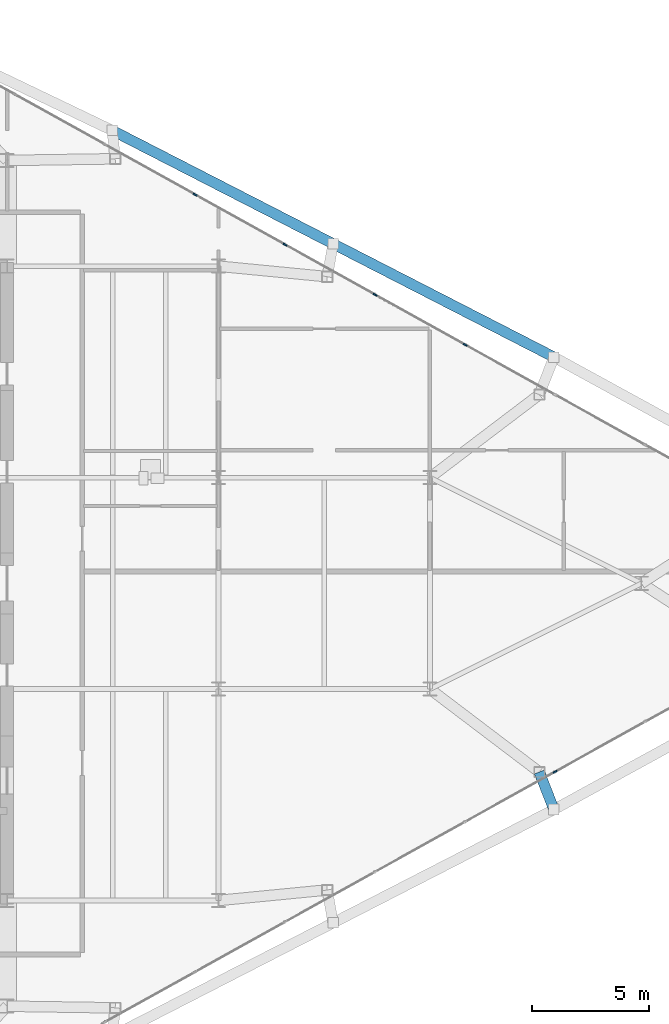
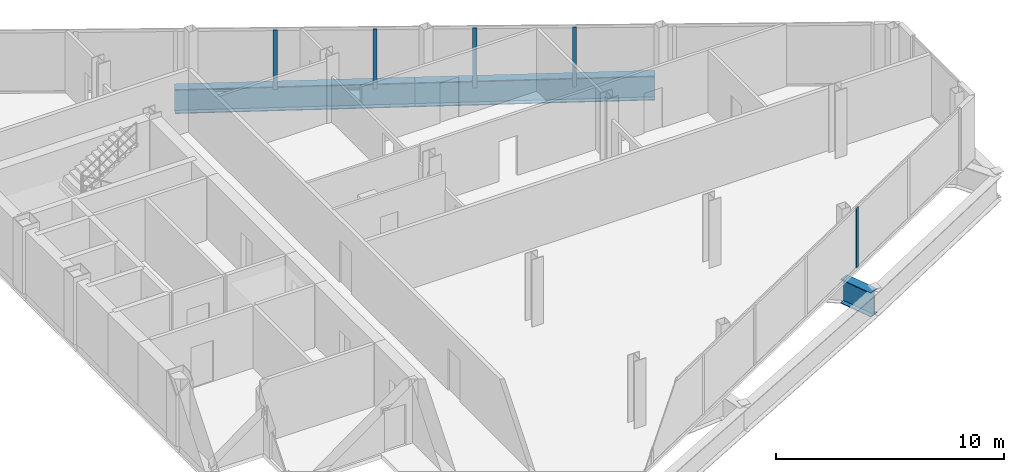
# One storey, part 17 of 28: 5 members, 3 beams, 2 elements without a shape of their own.
"""IFC4 building model written with IfcOpenShell, lengths in metres."""

from ifc_helpers import new_model, si_unit, direction, frame, origin, origin_2d, place, context, subcontext, project, spatial, rectangle, i_section, extrude, source, transform, mapped, material, layer, layer_set, material_profile, profile_set, type_object, type_shapes, element, aggregate, save


model = new_model("IFC4")

# Units and contexts
model_context = context("Model", 3, precision=1e-05, world=origin(), true_north=direction((0.0, 1.0)))
body_context = subcontext(model_context, "Body", "Model", "MODEL_VIEW")
ifc_project = project(units=[si_unit("LENGTHUNIT", "METRE"), si_unit("AREAUNIT", "SQUARE_METRE"), si_unit("VOLUMEUNIT", "CUBIC_METRE"), si_unit("PLANEANGLEUNIT", "RADIAN"), si_unit("MASSUNIT", "GRAM", prefix="KILO")], contexts=[model_context])

# Site, building, storey
site_placement = place(None, origin())
site = spatial("IfcSite", under=ifc_project, at=site_placement, CompositionType="ELEMENT")
building_placement = place(site_placement, origin())
building = spatial("IfcBuilding", under=site, at=building_placement, Name="Seokmaru Belvedere", CompositionType="ELEMENT")
storey_placement = place(building_placement, frame((0.0, 0.0, 158.39990234375)))
storey = spatial("IfcBuildingStorey", under=building, at=storey_placement, Name="L42", CompositionType="ELEMENT", Elevation=158.39990234375)

# Beams
ifc_material_1 = material(Name="Steel HSA650 (650 MPa)", Category="steel")
ifc_material_profile_1 = material_profile(ifc_material_1, i_section(OverallWidth=0.449951171875, OverallDepth=1.300048828125, WebThickness=0.02197265625, FlangeThickness=0.0380859375, at=origin_2d()), Name="BH-1300x450x22x38")
ifc_profile_set_1 = profile_set([ifc_material_profile_1], Name="Steel HSA650 (650 MPa)")
beam_type = type_object("IfcBeamType", Name="Observatory Long-Span Roof Girder BH-1300", PredefinedType="BEAM", material=ifc_profile_set_1)
shared_shape_1 = source(origin(), body_context, "Body", "SweptSolid", [
    extrude(i_section(OverallWidth=0.449951171875, OverallDepth=1.300048828125, WebThickness=0.02197265625, FlangeThickness=0.0380859375, at=origin_2d()), origin(), (0.0, 0.0, 1.0), 10.56689453125),
])
for number, where, z_axis, x_axis, name in (
    (1, (40.975830078125, 19.277587890625, -0.869873046875), (0.889701972758, -0.45654178305, 0.0), (0.45654178305, 0.889701972758, 0.0), "L42 E Faceted Flank Spandrel N-2"),
    (2, (50.377197265625, 14.453369140625, -0.869873046875), (0.889692588006, -0.456560071455, 0.0), (0.456560071455, 0.889692588006, 0.0), "L42 E Faceted Flank Spandrel N-3"),
):
    element("IfcBeam", number, at=place(storey_placement, frame(where, z_axis=z_axis, x_axis=x_axis)), inside=storey, type_object=beam_type, Name=name, PredefinedType="BEAM", context=body_context, shape_type="MappedRepresentation", body=[
        mapped(shared_shape_1, transform((0.0, 0.0, 0.0), scale=1.0)),
    ])
shared_shape_2 = source(origin(), body_context, "Body", "SweptSolid", [
    extrude(i_section(OverallWidth=0.449951171875, OverallDepth=1.300048828125, WebThickness=0.02197265625, FlangeThickness=0.0380859375, at=origin_2d()), origin(), (0.0, 0.0, 1.0), 1.715087890625),
])
type_shapes(beam_type, [shared_shape_1, shared_shape_2])
beam_placement = place(storey_placement, frame((59.778564453125, -9.62890625, -0.869873046875), z_axis=(-0.36386789594, 0.931450564606, 0.0), x_axis=(-0.931450564606, -0.36386789594, 0.0)))
element("IfcBeam", 3, at=beam_placement, inside=storey, type_object=beam_type, Name="L42 E Flank Setback Step Girder S-3", PredefinedType="BEAM", context=body_context, shape_type="MappedRepresentation", body=[
    mapped(shared_shape_2, transform((0.0, 0.0, 0.0), scale=1.0)),
])

# Curtain wall, member
ifc_material_2 = material(Name="Bronze Triple Insulating Glass", Category="glass")
ifc_layer = layer(ifc_material_2, 0.179931640625)
ifc_layer_set = layer_set([ifc_layer], Name="Bronze Triple Insulating Glass")
curtain_wall_type = type_object("IfcCurtainWallType", Name="High-Rise Wind-Corner Curtain Wall System CW-5", PredefinedType="NOTDEFINED", material=ifc_layer_set)
curtain_wall_1_placement = place(storey_placement, origin())
curtain_wall_1 = element("IfcCurtainWall", 4, at=curtain_wall_1_placement, inside=storey, type_object=curtain_wall_type, Name="L42 Curtain Wall EF1", PredefinedType="NOTDEFINED")
ifc_material_3 = material(Name="Anodised Bronze Aluminium", Category="aluminium")
ifc_material_profile_2 = material_profile(ifc_material_3, rectangle(XDim=0.06494140625, YDim=0.179931640625, at=origin_2d()), Name="CW-M-65x180")
ifc_profile_set_2 = profile_set([ifc_material_profile_2], Name="Anodised Bronze Aluminium")
member_type = type_object("IfcMemberType", Name="Bronze Unitised Mullion 65x180", PredefinedType="MULLION", material=ifc_profile_set_2)
shared_shape_3 = source(origin(), body_context, "Body", "SweptSolid", [
    extrude(rectangle(XDim=0.06494140625, YDim=0.179931640625, at=origin_2d()), origin(), (0.0, 0.0, 1.0), 3.2099609375),
])
type_shapes(member_type, [shared_shape_3])
member_1_placement = place(storey_placement, frame((59.83056640625, -8.021728515625, 0.065185546875), z_axis=(0.0, 0.0, 1.0), x_axis=(-0.486047125147, 0.873932601598, 0.0)))
member_1 = element("IfcMember", 5, at=member_1_placement, type_object=member_type, Name="CW:L42:EF1 Mullion 8", PredefinedType="MULLION", context=body_context, shape_type="MappedRepresentation", body=[
    mapped(shared_shape_3, transform((0.0, 0.0, 0.0), scale=1.0)),
])
aggregate(curtain_wall_1, [member_1])

# Curtain wall, members
curtain_wall_2_placement = place(storey_placement, origin())
curtain_wall_2 = element("IfcCurtainWall", 6, at=curtain_wall_2_placement, inside=storey, type_object=curtain_wall_type, Name="L42 Curtain Wall EF3", PredefinedType="NOTDEFINED")
member_2_placement = place(storey_placement, frame((55.998291015625, 10.153076171875, 0.065185546875), z_axis=(0.0, 0.0, 1.0), x_axis=(-0.486047125147, -0.873932601598, 0.0)))
member_2 = element("IfcMember", 7, at=member_2_placement, type_object=member_type, Name="CW:L42:EF3 Mullion 4", PredefinedType="MULLION", context=body_context, shape_type="MappedRepresentation", body=[
    mapped(shared_shape_3, transform((0.0, 0.0, 0.0), scale=1.0)),
])
member_3_placement = place(storey_placement, frame((52.166015625, 12.2841796875, 0.065185546875), z_axis=(0.0, 0.0, 1.0), x_axis=(-0.486047125147, -0.873932601598, 0.0)))
member_3 = element("IfcMember", 8, at=member_3_placement, type_object=member_type, Name="CW:L42:EF3 Mullion 5", PredefinedType="MULLION", context=body_context, shape_type="MappedRepresentation", body=[
    mapped(shared_shape_3, transform((0.0, 0.0, 0.0), scale=1.0)),
])
member_4_placement = place(storey_placement, frame((48.333984375, 14.415771484375, 0.065185546875), z_axis=(0.0, 0.0, 1.0), x_axis=(-0.486047125147, -0.873932601598, 0.0)))
member_4 = element("IfcMember", 9, at=member_4_placement, type_object=member_type, Name="CW:L42:EF3 Mullion 6", PredefinedType="MULLION", context=body_context, shape_type="MappedRepresentation", body=[
    mapped(shared_shape_3, transform((0.0, 0.0, 0.0), scale=1.0)),
])
member_5_placement = place(storey_placement, frame((44.501708984375, 16.547119140625, 0.065185546875), z_axis=(0.0, 0.0, 1.0), x_axis=(-0.486047125147, -0.873932601598, 0.0)))
member_5 = element("IfcMember", 10, at=member_5_placement, type_object=member_type, Name="CW:L42:EF3 Mullion 7", PredefinedType="MULLION", context=body_context, shape_type="MappedRepresentation", body=[
    mapped(shared_shape_3, transform((0.0, 0.0, 0.0), scale=1.0)),
])
aggregate(curtain_wall_2, [member_2, member_3, member_4, member_5])

save(model, "model.ifc")
